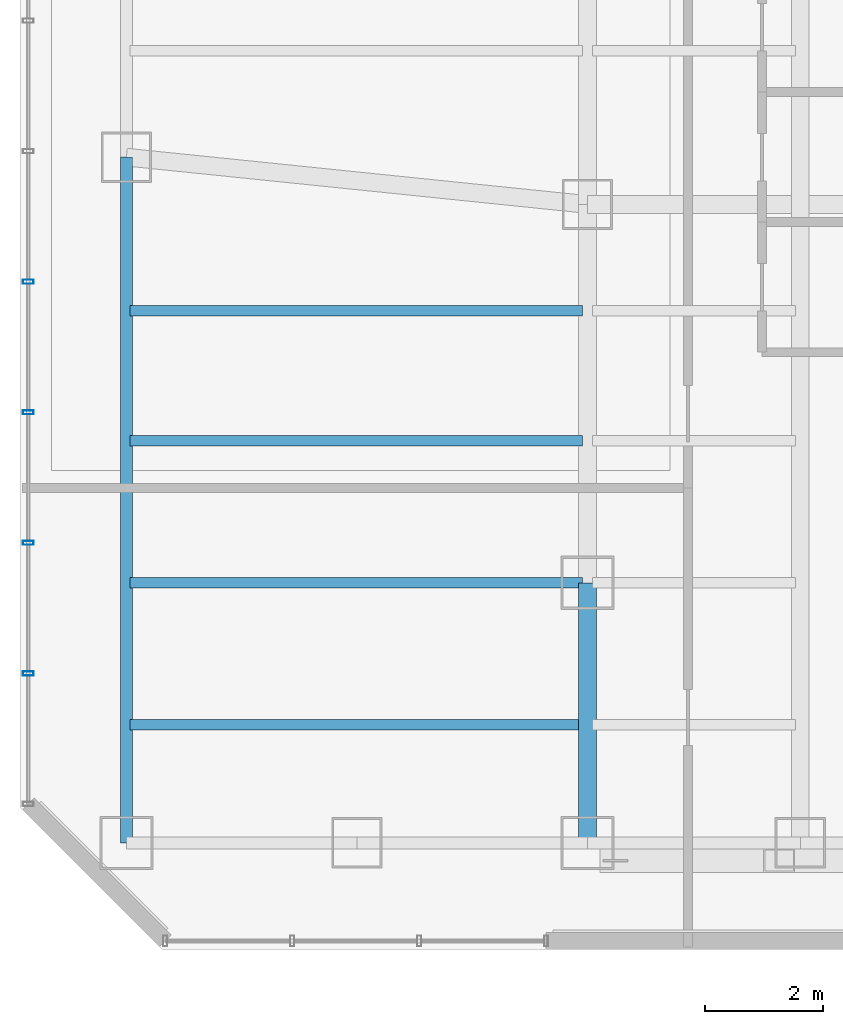
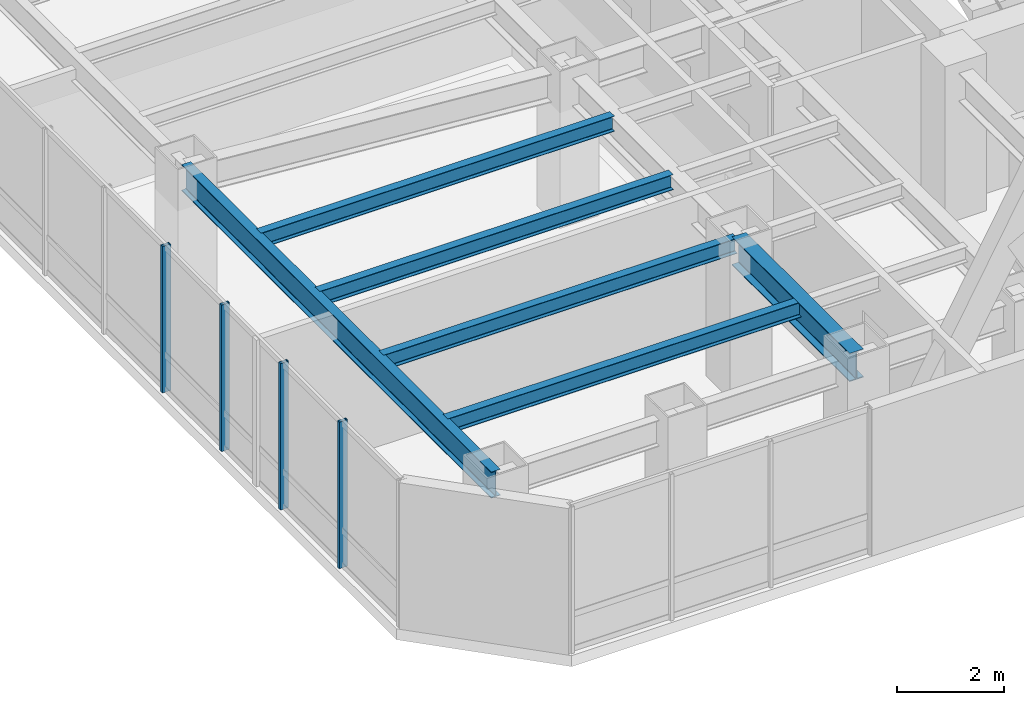
# One storey, part 4 of 29: 6 beams, 4 members, 1 element without a shape of its own.
"""IFC4 building model written with IfcOpenShell, lengths in metres."""

from ifc_helpers import new_model, si_unit, direction, frame, origin, origin_2d, place, context, subcontext, project, spatial, hollow_rectangle, i_section, extrude, material, layer, layer_set, material_profile, profile_set, type_object, element, aggregate, save


model = new_model("IFC4")

# Units and contexts
model_context = context("Model", 3, precision=1e-05, world=origin(), true_north=direction((0.0, 1.0)))
body_context = subcontext(model_context, "Body", "Model", "MODEL_VIEW")
ifc_project = project(units=[si_unit("LENGTHUNIT", "METRE"), si_unit("AREAUNIT", "SQUARE_METRE"), si_unit("VOLUMEUNIT", "CUBIC_METRE"), si_unit("PLANEANGLEUNIT", "RADIAN"), si_unit("MASSUNIT", "GRAM", prefix="KILO")], contexts=[model_context])

# Site, building, storey
site_placement = place(None, origin())
site = spatial("IfcSite", under=ifc_project, at=site_placement, CompositionType="ELEMENT")
building_placement = place(site_placement, origin())
building = spatial("IfcBuilding", under=site, at=building_placement, Name="Hatsunagi Terrace Concourse", CompositionType="ELEMENT")
storey_placement = place(building_placement, frame((0.0, 0.0, 108.449951171875)))
storey = spatial("IfcBuildingStorey", under=building, at=storey_placement, Name="L28", CompositionType="ELEMENT", Elevation=108.449951171875)

# Curtain wall, members
ifc_material_1 = material(Name="Anodised Aluminium Alloy 6063-T5", Category="aluminium")
ifc_layer = layer(ifc_material_1, 0.199951171875)
ifc_layer_set = layer_set([ifc_layer], Name="OfficeZone1_CW03")
curtain_wall_type = type_object("IfcCurtainWallType", Name="OfficeZone1_CW03", PredefinedType="NOTDEFINED", material=ifc_layer_set)
curtain_wall_placement = place(storey_placement, origin())
curtain_wall = element("IfcCurtainWall", 1, at=curtain_wall_placement, inside=storey, type_object=curtain_wall_type, Name="Unitised Curtain Wall CW-03 CW-L28-09", PredefinedType="NOTDEFINED")
ifc_material_2 = material(Name="Anodised Aluminium Alloy 6063-T5", Category="aluminium")
ifc_material_profile_1 = material_profile(ifc_material_2, hollow_rectangle(XDim=0.070068359375, YDim=0.179931640625, WallThickness=0.00390625, at=origin_2d()), Name="ALU-MUL-180x70x4")
ifc_profile_set_1 = profile_set([ifc_material_profile_1], Name="Anodised Aluminium Alloy 6063-T5")
member_type = type_object("IfcMemberType", Name="CurtainWallMullion_180x70", PredefinedType="MULLION", material=ifc_profile_set_1)
member_1_placement = place(storey_placement, frame((9.739990234375, 28.06591796875, 0.0), z_axis=(0.0, 0.0, 1.0), x_axis=(0.0, 1.0, 0.0)))
member_1 = element("IfcMember", 2, at=member_1_placement, type_object=member_type, Name="Curtain Wall Mullion MUL-02", PredefinedType="MULLION", context=body_context, shape_type="SweptSolid", body=[
    extrude(hollow_rectangle(XDim=0.070068359375, YDim=0.179931640625, WallThickness=0.00390625, at=origin_2d()), origin(), (0.0, 0.0, 1.0), 3.35009765625),
])
member_2_placement = place(storey_placement, frame((9.739990234375, 30.27490234375, 0.0), z_axis=(0.0, 0.0, 1.0), x_axis=(0.0, 1.0, 0.0)))
member_2 = element("IfcMember", 3, at=member_2_placement, type_object=member_type, Name="Curtain Wall Mullion MUL-02", PredefinedType="MULLION", context=body_context, shape_type="SweptSolid", body=[
    extrude(hollow_rectangle(XDim=0.070068359375, YDim=0.179931640625, WallThickness=0.00390625, at=origin_2d()), origin(), (0.0, 0.0, 1.0), 3.35009765625),
])
member_3_placement = place(storey_placement, frame((9.739990234375, 32.48291015625, 0.0), z_axis=(0.0, 0.0, 1.0), x_axis=(0.0, 1.0, 0.0)))
member_3 = element("IfcMember", 4, at=member_3_placement, type_object=member_type, Name="Curtain Wall Mullion MUL-02", PredefinedType="MULLION", context=body_context, shape_type="SweptSolid", body=[
    extrude(hollow_rectangle(XDim=0.070068359375, YDim=0.179931640625, WallThickness=0.00390625, at=origin_2d()), origin(), (0.0, 0.0, 1.0), 3.35009765625),
])
member_4_placement = place(storey_placement, frame((9.739990234375, 34.69189453125, 0.0), z_axis=(0.0, 0.0, 1.0), x_axis=(0.0, 1.0, 0.0)))
member_4 = element("IfcMember", 5, at=member_4_placement, type_object=member_type, Name="Curtain Wall Mullion MUL-02", PredefinedType="MULLION", context=body_context, shape_type="SweptSolid", body=[
    extrude(hollow_rectangle(XDim=0.070068359375, YDim=0.179931640625, WallThickness=0.00390625, at=origin_2d()), origin(), (0.0, 0.0, 1.0), 3.35009765625),
])
aggregate(curtain_wall, [member_1, member_2, member_3, member_4])

# Beams
ifc_material_3 = material(Name="Steel SN490B", Category="steel")
ifc_material_profile_2 = material_profile(ifc_material_3, i_section(OverallWidth=0.175048828125, OverallDepth=0.35009765625, WebThickness=0.007080078125, FlangeThickness=0.010986328125, FilletRadius=0.012939453125, at=origin_2d()), Name="H-350x175x7x11")
ifc_profile_set_2 = profile_set([ifc_material_profile_2], Name="Steel SN490B")
beam_type_1 = type_object("IfcBeamType", Name="HotelJoist_H_350x175", PredefinedType="JOIST", material=ifc_profile_set_2)
for number, where, z_axis, x_axis, name in (
    (6, (11.465087890625, 27.199951171875, 3.175048828125), (1.0, 0.0, 0.0), (0.0, 1.0, 0.0), "Beam J-02 J-L28-W-11-272"),
    (7, (11.465087890625, 29.60009765625, 3.175048828125), (1.0, 0.0, 0.0), (0.0, 1.0, 0.0), "Beam J-02 J-L28-W-11-296"),
    (8, (11.465087890625, 32.0, 3.175048828125), (1.0, 0.0, 0.0), (0.0, 1.0, 0.0), "Beam J-02 J-L28-W-11-320"),
    (9, (11.465087890625, 34.199951171875, 3.175048828125), (1.0, 0.0, 0.0), (0.0, 1.0, 0.0), "Beam J-02 J-L28-W-11-342"),
):
    element("IfcBeam", number, at=place(storey_placement, frame(where, z_axis=z_axis, x_axis=x_axis)), inside=storey, type_object=beam_type_1, Name=name, PredefinedType="JOIST", context=body_context, shape_type="SweptSolid", body=[
        extrude(i_section(OverallWidth=0.175048828125, OverallDepth=0.35009765625, WebThickness=0.007080078125, FlangeThickness=0.010986328125, FilletRadius=0.012939453125, at=origin_2d()), origin(), (0.0, 0.0, 1.0), 7.64990234375),
    ])
ifc_material_4 = material(Name="Steel SN490B", Category="steel")
ifc_material_profile_3 = material_profile(ifc_material_4, i_section(OverallWidth=0.300048828125, OverallDepth=0.64990234375, WebThickness=0.012939453125, FlangeThickness=0.02197265625, FilletRadius=0.01806640625, at=origin_2d()), Name="H-650x300x13x22")
ifc_profile_set_3 = profile_set([ifc_material_profile_3], Name="Steel SN490B")
beam_type_2 = type_object("IfcBeamType", Name="OfficeLowGirder_H_650x300", PredefinedType="BEAM", material=ifc_profile_set_3)
beam_1_placement = place(storey_placement, frame((19.199951171875, 25.199951171875, 3.025146484375), z_axis=(0.0, 1.0, 0.0), x_axis=(-1.0, 0.0, 0.0)))
element("IfcBeam", 10, at=beam_1_placement, inside=storey, type_object=beam_type_2, Name="Beam G-05 BM-L28-NS-19-25", PredefinedType="BEAM", context=body_context, shape_type="SweptSolid", body=[
    extrude(i_section(OverallWidth=0.300048828125, OverallDepth=0.64990234375, WebThickness=0.012939453125, FlangeThickness=0.02197265625, FilletRadius=0.01806640625, at=origin_2d()), origin(), (0.0, 0.0, 1.0), 4.400146484375),
])
ifc_material_5 = material(Name="Steel SN490B", Category="steel")
ifc_material_profile_4 = material_profile(ifc_material_5, i_section(OverallWidth=0.199951171875, OverallDepth=0.60009765625, WebThickness=0.010986328125, FlangeThickness=0.01708984375, FilletRadius=0.01806640625, at=origin_2d()), Name="H-600x200x11x17")
ifc_profile_set_4 = profile_set([ifc_material_profile_4], Name="Steel SN490B")
beam_type_3 = type_object("IfcBeamType", Name="PerimeterSpandrel_H_600x200", PredefinedType="SPANDREL", material=ifc_profile_set_4)
beam_2_placement = place(storey_placement, frame((11.39990234375, 25.199951171875, 3.050048828125), z_axis=(0.0, 1.0, 0.0), x_axis=(-1.0, 0.0, 0.0)))
element("IfcBeam", 11, at=beam_2_placement, inside=storey, type_object=beam_type_3, Name="Beam SP-01 BM-L28-NS-11-25", PredefinedType="SPANDREL", context=body_context, shape_type="SweptSolid", body=[
    extrude(i_section(OverallWidth=0.199951171875, OverallDepth=0.60009765625, WebThickness=0.010986328125, FlangeThickness=0.01708984375, FilletRadius=0.01806640625, at=origin_2d()), origin(), (0.0, 0.0, 1.0), 11.60009765625),
])

save(model, "model.ifc")
